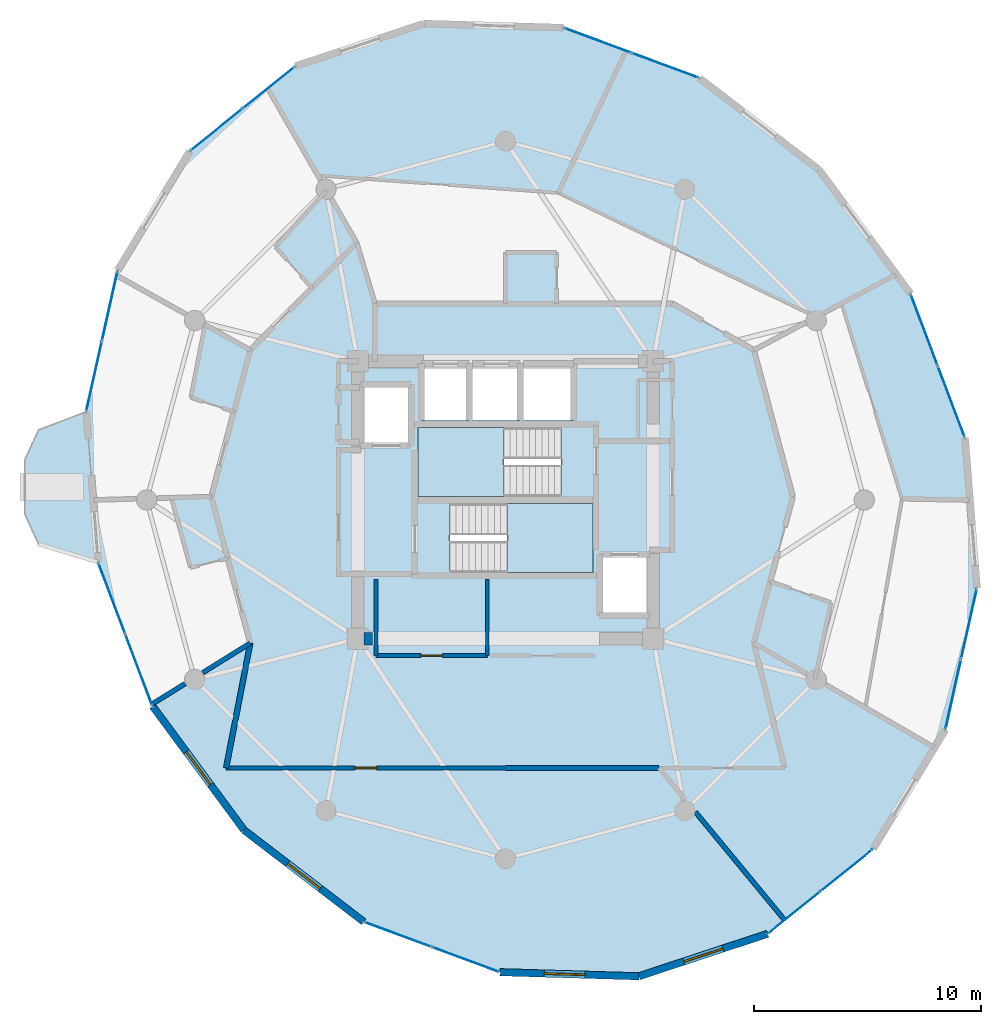
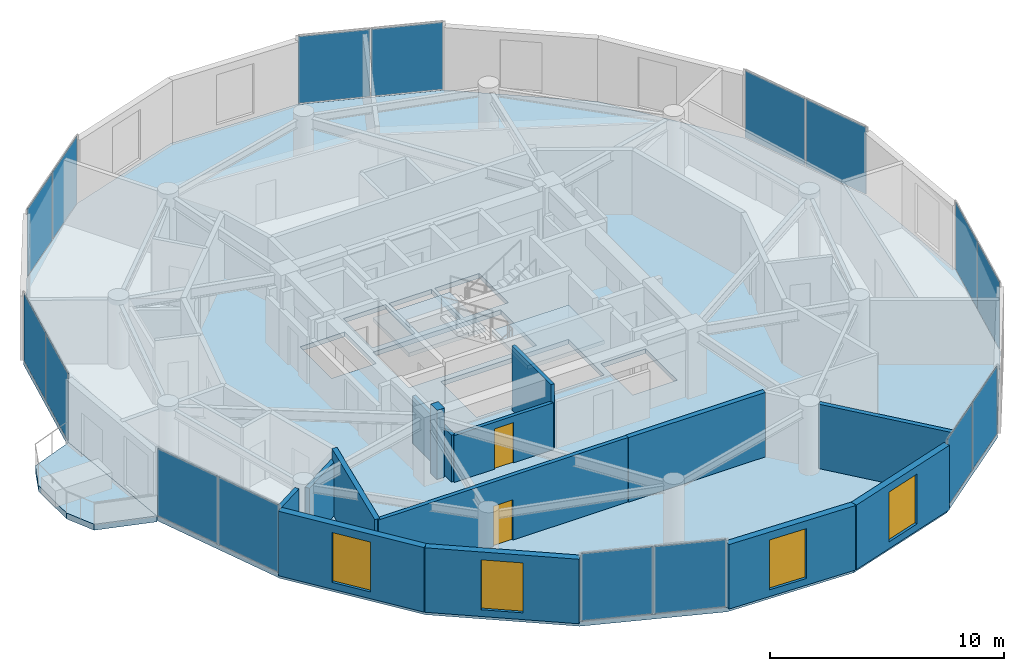
# One storey, part 15 of 20: 16 plates, 14 walls, 4 slabs, 4 windows, 2 doors, 6 openings, 10 elements without a shape of their own.
"""IFC4 building model written with IfcOpenShell, lengths in metres."""

from ifc_helpers import new_model, si_unit, direction, frame, frame_2d, origin, origin_2d, place, context, subcontext, project, spatial, polyline, rectangle, outline, extrude, source, transform, mapped, material, layer, layer_set, type_object, element, fill, aggregate, save


model = new_model("IFC4")

# Units and contexts
model_context = context("Model", 3, precision=1e-05, world=origin(), true_north=direction((0.0, 1.0)))
body_context = subcontext(model_context, "Body", "Model", "MODEL_VIEW")
ifc_project = project(units=[si_unit("LENGTHUNIT", "METRE"), si_unit("AREAUNIT", "SQUARE_METRE"), si_unit("VOLUMEUNIT", "CUBIC_METRE"), si_unit("PLANEANGLEUNIT", "RADIAN"), si_unit("MASSUNIT", "GRAM", prefix="KILO")], contexts=[model_context])

# Site, building, storey
site_placement = place(None, origin())
site = spatial("IfcSite", under=ifc_project, at=site_placement, CompositionType="ELEMENT")
building_placement = place(site_placement, origin())
building = spatial("IfcBuilding", under=site, at=building_placement, Name="Solvirekh Grand Hotel", CompositionType="ELEMENT")
storey_placement = place(building_placement, frame((0.0, 0.0, 194.800048828125)))
storey = spatial("IfcBuildingStorey", under=building, at=storey_placement, Name="L50", CompositionType="ELEMENT", Elevation=194.800048828125)

# Slab
ifc_material_1 = material(Name="Concrete C50/60", Category="concrete")
ifc_layer_1 = layer(ifc_material_1, 0.31005859375)
ifc_layer_set_1 = layer_set([ifc_layer_1], Name="Concrete C50/60")
slab_type_1 = type_object("IfcSlabType", Name="ExtHornSkyGarden_310", PredefinedType="FLOOR", material=ifc_layer_set_1)
slab_1_placement = place(storey_placement, frame((0.0, 0.0, -0.31005859375)))
element("IfcSlab", 1, at=slab_1_placement, inside=storey, type_object=slab_type_1, Name="L50 west horn sky-garden deck", PredefinedType="FLOOR", context=body_context, shape_type="SweptSolid", body=[
    extrude(outline(polyline([(-20.56298828125, 3.0859375), (-21.1630859375, 1.762939453125), (-21.1630859375, -0.618896484375), (-20.56298828125, -1.94189453125), (-17.93408203125, -2.736083984375), (-18.462890625, 3.8798828125), (-20.56298828125, 3.0859375)])), origin(), (0.0, 0.0, 1.0), 0.31005859375),
])

# Stair, slab
ifc_material_2 = material(Name="Concrete C40/50", Category="concrete")
stair_type = type_object("IfcStairType", Name="Stair_Core_1450", PredefinedType="HALF_TURN_STAIR", material=ifc_material_2)
stair_1_placement = place(storey_placement, origin())
stair_1 = element("IfcStair", 2, at=stair_1_placement, inside=storey, type_object=stair_type, Name="L50 Enclosed exit stair ST-1", PredefinedType="HALF_TURN_STAIR")
ifc_layer_2 = layer(ifc_material_2, 0.199951171875)
ifc_layer_set_2 = layer_set([ifc_layer_2], Name="Concrete C40/50")
slab_type_2 = type_object("IfcSlabType", Name="Landing_Stair_200", PredefinedType="LANDING", material=ifc_layer_set_2)
slab_2_placement = place(storey_placement, frame((0.0, 0.0, 1.599853515625)))
slab_2 = element("IfcSlab", 3, at=slab_2_placement, type_object=slab_type_2, Name="ST-1 landing 1", PredefinedType="LANDING", context=body_context, shape_type="SweptSolid", body=[
    extrude(outline(polyline([(0.070068359375, -3.199951171875), (3.85009765625, -3.199951171875), (3.85009765625, -0.14990234375), (0.070068359375, -0.14990234375), (0.070068359375, -3.199951171875)])), origin(), (0.0, 0.0, 1.0), 0.2001953125),
])
aggregate(stair_1, [slab_2])

stair_2_placement = place(storey_placement, origin())
stair_2 = element("IfcStair", 4, at=stair_2_placement, inside=storey, type_object=stair_type, Name="L50 Enclosed exit stair ST-2", PredefinedType="HALF_TURN_STAIR")
slab_3_placement = place(storey_placement, frame((0.0, 0.0, 1.599853515625)))
slab_3 = element("IfcSlab", 5, at=slab_3_placement, type_object=slab_type_2, Name="ST-2 landing 1", PredefinedType="LANDING", context=body_context, shape_type="SweptSolid", body=[
    extrude(outline(polyline([(-0.070068359375, 3.199951171875), (-3.85009765625, 3.199951171875), (-3.85009765625, 0.14990234375), (-0.070068359375, 0.14990234375), (-0.070068359375, 3.199951171875)])), origin(), (0.0, 0.0, 1.0), 0.2001953125),
])
aggregate(stair_2, [slab_3])

# Slab
ifc_layer_3 = layer(ifc_material_2, 0.239990234375)
ifc_layer_set_3 = layer_set([ifc_layer_3], Name="Concrete C40/50")
slab_type_3 = type_object("IfcSlabType", Name="Slab_GuestZ3_240", PredefinedType="FLOOR", material=ifc_layer_set_3)
slab_4_placement = place(storey_placement, frame((0.0, 0.0, -0.239990234375)))
element("IfcSlab", 6, at=slab_4_placement, inside=storey, type_object=slab_type_3, Name="L50 structural floor slab", PredefinedType="FLOOR", context=body_context, shape_type="SweptSolid", body=[
    extrude(outline(polyline([(11.548095703125, -19.10302734375), (16.196044921875, -15.361083984375), (19.37109375, -10.115966796875), (20.762939453125, -3.8798828125), (20.23388671875, 2.736083984375), (17.837890625, 9.0830078125), (13.80810546875, 14.5419921875), (8.5390625, 18.576904296875), (2.547119140625, 20.7939453125), (-3.58203125, 20.97509765625), (-9.248046875, 19.10302734375), (-13.89599609375, 15.361083984375), (-17.071044921875, 10.115966796875), (-18.462890625, 3.8798828125), (-17.93408203125, -2.736083984375), (-15.5380859375, -9.0830078125), (-11.508056640625, -14.5419921875), (-6.239013671875, -18.576904296875), (-0.2470703125, -20.7939453125), (5.882080078125, -20.97509765625), (11.548095703125, -19.10302734375)]), holes=[polyline([(-2.444091796875, -0.14990234375), (3.85009765625, -0.14990234375), (3.85009765625, -3.199951171875), (-2.444091796875, -3.199951171875), (-2.444091796875, -0.14990234375)]), polyline([(2.444091796875, 0.14990234375), (-3.85009765625, 0.14990234375), (-3.85009765625, 3.199951171875), (2.444091796875, 3.199951171875), (2.444091796875, 0.14990234375)]), polyline([(-3.699951171875, 6.0), (-1.60009765625, 6.0), (-1.60009765625, 3.5), (-3.699951171875, 3.5), (-3.699951171875, 6.0)]), polyline([(-1.449951171875, 6.0), (0.64990234375, 6.0), (0.64990234375, 3.5), (-1.449951171875, 3.5), (-1.449951171875, 6.0)]), polyline([(0.800048828125, 6.0), (3.0, 6.0), (3.0, 3.5), (0.800048828125, 3.5), (0.800048828125, 6.0)]), polyline([(-6.35009765625, 5.10009765625), (-4.14990234375, 5.10009765625), (-4.14990234375, 2.39990234375), (-6.35009765625, 2.39990234375), (-6.35009765625, 5.10009765625)]), polyline([(4.14990234375, -2.39990234375), (6.35009765625, -2.39990234375), (6.35009765625, -5.10009765625), (4.14990234375, -5.10009765625), (4.14990234375, -2.39990234375)])]), origin(), (0.0, 0.0, 1.0), 0.239990234375),
])

# Curtain wall, plates
ifc_material_3 = material(Name="Anodized Bronze Aluminium 6063-T6", Category="aluminium")
ifc_layer_4 = layer(ifc_material_3, 0.159912109375)
ifc_layer_set_4 = layer_set([ifc_layer_4], Name="Anodized Bronze Aluminium 6063-T6")
curtain_wall_type = type_object("IfcCurtainWallType", Name="CW_Sys4_HighZoneFlushBronzeCW", PredefinedType="NOTDEFINED", material=ifc_layer_set_4)
curtain_wall_1_placement = place(storey_placement, origin())
curtain_wall_1 = element("IfcCurtainWall", 7, at=curtain_wall_1_placement, inside=storey, type_object=curtain_wall_type, Name="L50 unitised bronze-glass curtain wall CW-L50-C03", PredefinedType="NOTDEFINED")
ifc_material_4 = material(Name="Low-E Tinted Bronze Laminated Glass", Category="aluminium")
ifc_layer_5 = layer(ifc_material_4, 0.033935546875)
ifc_layer_set_5 = layer_set([ifc_layer_5], Name="Low-E Tinted Bronze Laminated Glass")
plate_type = type_object("IfcPlateType", Name="CWPanel_High_34", PredefinedType="CURTAIN_PANEL", material=ifc_layer_set_5)
shared_shape_1 = source(origin(), body_context, "Body", "SweptSolid", [
    extrude(rectangle(XDim=3.104736328125, YDim=0.033935546875, at=origin_2d()), origin(), (0.0, 0.0, 1.0), 3.489990234375),
])
plate_1_placement = place(storey_placement, frame((19.72216796875, -8.54248046875, 0.05517578125), z_axis=(0.0, 0.0, 1.0), x_axis=(0.217858356861, 0.975980397521, 0.0)))
plate_1 = element("IfcPlate", 8, at=plate_1_placement, type_object=plate_type, Name="U04 panel 1.1", PredefinedType="CURTAIN_PANEL", context=body_context, shape_type="MappedRepresentation", body=[
    mapped(shared_shape_1, transform((0.0, 0.0, 0.0), x_axis=(1.0, 0.0, 0.0), y_axis=(0.0, 1.0, 0.0), z_axis=(0.0, 0.0, 1.0), scale=1.0)),
])
plate_2_placement = place(storey_placement, frame((20.41162109375, -5.45361328125, 0.05517578125), z_axis=(0.0, 0.0, 1.0), x_axis=(0.217858356861, 0.975980397521, 0.0)))
plate_2 = element("IfcPlate", 9, at=plate_2_placement, type_object=plate_type, Name="U04 panel 2.1", PredefinedType="CURTAIN_PANEL", context=body_context, shape_type="MappedRepresentation", body=[
    mapped(shared_shape_1, transform((0.0, 0.0, 0.0), x_axis=(1.0, 0.0, 0.0), y_axis=(0.0, 1.0, 0.0), z_axis=(0.0, 0.0, 1.0), scale=1.0)),
])
aggregate(curtain_wall_1, [plate_1, plate_2])

curtain_wall_2_placement = place(storey_placement, origin())
curtain_wall_2 = element("IfcCurtainWall", 10, at=curtain_wall_2_placement, inside=storey, type_object=curtain_wall_type, Name="L50 unitised bronze-glass curtain wall CW-L50-C13", PredefinedType="NOTDEFINED")
plate_3_placement = place(storey_placement, frame((-17.42236328125, 8.54248046875, 0.05517578125), z_axis=(0.0, 0.0, 1.0), x_axis=(-0.217858356861, -0.975980397521, 0.0)))
plate_3 = element("IfcPlate", 11, at=plate_3_placement, type_object=plate_type, Name="U04 panel 1.1", PredefinedType="CURTAIN_PANEL", context=body_context, shape_type="MappedRepresentation", body=[
    mapped(shared_shape_1, transform((0.0, 0.0, 0.0), x_axis=(1.0, 0.0, 0.0), y_axis=(0.0, 1.0, 0.0), z_axis=(0.0, 0.0, 1.0), scale=1.0)),
])
plate_4_placement = place(storey_placement, frame((-18.11181640625, 5.45361328125, 0.05517578125), z_axis=(0.0, 0.0, 1.0), x_axis=(-0.217858356861, -0.975980397521, 0.0)))
plate_4 = element("IfcPlate", 12, at=plate_4_placement, type_object=plate_type, Name="U04 panel 2.1", PredefinedType="CURTAIN_PANEL", context=body_context, shape_type="MappedRepresentation", body=[
    mapped(shared_shape_1, transform((0.0, 0.0, 0.0), x_axis=(1.0, 0.0, 0.0), y_axis=(0.0, 1.0, 0.0), z_axis=(0.0, 0.0, 1.0), scale=1.0)),
])
aggregate(curtain_wall_2, [plate_3, plate_4])

curtain_wall_3_placement = place(storey_placement, origin())
curtain_wall_3 = element("IfcCurtainWall", 13, at=curtain_wall_3_placement, inside=storey, type_object=curtain_wall_type, Name="L50 unitised bronze-glass curtain wall CW-L50-C01", PredefinedType="NOTDEFINED")
shared_shape_2 = source(origin(), body_context, "Body", "SweptSolid", [
    extrude(rectangle(XDim=2.8935546875, YDim=0.033935546875, at=origin_2d()), origin(), (0.0, 0.0, 1.0), 3.489990234375),
])
plate_5_placement = place(storey_placement, frame((12.7216796875, -18.158203125, 0.05517578125), z_axis=(0.0, 0.0, 1.0), x_axis=(0.778935812487, 0.627103659713, 0.0)))
plate_5 = element("IfcPlate", 14, at=plate_5_placement, type_object=plate_type, Name="U04 panel 1.1", PredefinedType="CURTAIN_PANEL", context=body_context, shape_type="MappedRepresentation", body=[
    mapped(shared_shape_2, transform((0.0, 0.0, 0.0), x_axis=(1.0, 0.0, 0.0), y_axis=(0.0, 1.0, 0.0), z_axis=(0.0, 0.0, 1.0), scale=1.0)),
])
plate_6_placement = place(storey_placement, frame((15.022216796875, -16.305908203125, 0.05517578125), z_axis=(0.0, 0.0, 1.0), x_axis=(0.778935812487, 0.627103659713, 0.0)))
plate_6 = element("IfcPlate", 15, at=plate_6_placement, type_object=plate_type, Name="U04 panel 2.1", PredefinedType="CURTAIN_PANEL", context=body_context, shape_type="MappedRepresentation", body=[
    mapped(shared_shape_2, transform((0.0, 0.0, 0.0), x_axis=(1.0, 0.0, 0.0), y_axis=(0.0, 1.0, 0.0), z_axis=(0.0, 0.0, 1.0), scale=1.0)),
])
aggregate(curtain_wall_3, [plate_5, plate_6])

curtain_wall_4_placement = place(storey_placement, origin())
curtain_wall_4 = element("IfcCurtainWall", 16, at=curtain_wall_4_placement, inside=storey, type_object=curtain_wall_type, Name="L50 unitised bronze-glass curtain wall CW-L50-C11", PredefinedType="NOTDEFINED")
plate_7_placement = place(storey_placement, frame((-10.421630859375, 18.158203125, 0.05517578125), z_axis=(0.0, 0.0, 1.0), x_axis=(-0.778935812487, -0.627103659713, 0.0)))
plate_7 = element("IfcPlate", 17, at=plate_7_placement, type_object=plate_type, Name="U04 panel 1.1", PredefinedType="CURTAIN_PANEL", context=body_context, shape_type="MappedRepresentation", body=[
    mapped(shared_shape_2, transform((0.0, 0.0, 0.0), x_axis=(1.0, 0.0, 0.0), y_axis=(0.0, 1.0, 0.0), z_axis=(0.0, 0.0, 1.0), scale=1.0)),
])
plate_8_placement = place(storey_placement, frame((-12.722412109375, 16.305908203125, 0.05517578125), z_axis=(0.0, 0.0, 1.0), x_axis=(-0.778935812487, -0.627103659713, 0.0)))
plate_8 = element("IfcPlate", 18, at=plate_8_placement, type_object=plate_type, Name="U04 panel 2.1", PredefinedType="CURTAIN_PANEL", context=body_context, shape_type="MappedRepresentation", body=[
    mapped(shared_shape_2, transform((0.0, 0.0, 0.0), x_axis=(1.0, 0.0, 0.0), y_axis=(0.0, 1.0, 0.0), z_axis=(0.0, 0.0, 1.0), scale=1.0)),
])
aggregate(curtain_wall_4, [plate_7, plate_8])

curtain_wall_5_placement = place(storey_placement, origin())
curtain_wall_5 = element("IfcCurtainWall", 19, at=curtain_wall_5_placement, inside=storey, type_object=curtain_wall_type, Name="L50 unitised bronze-glass curtain wall CW-L50-C08", PredefinedType="NOTDEFINED")
shared_shape_3 = source(origin(), body_context, "Body", "SweptSolid", [
    extrude(rectangle(XDim=3.1044921875, YDim=0.033935546875, at=origin_2d()), origin(), (0.0, 0.0, 1.0), 3.489990234375),
])
plate_9_placement = place(storey_placement, frame((7.02685546875, 19.136474609375, 0.05517578125), z_axis=(0.0, 0.0, 1.0), x_axis=(-0.937863880211, 0.347003374905, 0.0)))
plate_9 = element("IfcPlate", 20, at=plate_9_placement, type_object=plate_type, Name="U04 panel 1.1", PredefinedType="CURTAIN_PANEL", context=body_context, shape_type="MappedRepresentation", body=[
    mapped(shared_shape_3, transform((0.0, 0.0, 0.0), x_axis=(1.0, 0.0, 0.0), y_axis=(0.0, 1.0, 0.0), z_axis=(0.0, 0.0, 1.0), scale=1.0)),
])
plate_10_placement = place(storey_placement, frame((4.05908203125, 20.234619140625, 0.05517578125), z_axis=(0.0, 0.0, 1.0), x_axis=(-0.937863880211, 0.347003374905, 0.0)))
plate_10 = element("IfcPlate", 21, at=plate_10_placement, type_object=plate_type, Name="U04 panel 2.1", PredefinedType="CURTAIN_PANEL", context=body_context, shape_type="MappedRepresentation", body=[
    mapped(shared_shape_3, transform((0.0, 0.0, 0.0), x_axis=(1.0, 0.0, 0.0), y_axis=(0.0, 1.0, 0.0), z_axis=(0.0, 0.0, 1.0), scale=1.0)),
])
aggregate(curtain_wall_5, [plate_9, plate_10])

curtain_wall_6_placement = place(storey_placement, origin())
curtain_wall_6 = element("IfcCurtainWall", 22, at=curtain_wall_6_placement, inside=storey, type_object=curtain_wall_type, Name="L50 unitised bronze-glass curtain wall CW-L50-C18", PredefinedType="NOTDEFINED")
plate_11_placement = place(storey_placement, frame((-4.72705078125, -19.136474609375, 0.05517578125), z_axis=(0.0, 0.0, 1.0), x_axis=(0.937863880211, -0.347003374905, 0.0)))
plate_11 = element("IfcPlate", 23, at=plate_11_placement, type_object=plate_type, Name="U04 panel 1.1", PredefinedType="CURTAIN_PANEL", context=body_context, shape_type="MappedRepresentation", body=[
    mapped(shared_shape_3, transform((0.0, 0.0, 0.0), x_axis=(1.0, 0.0, 0.0), y_axis=(0.0, 1.0, 0.0), z_axis=(0.0, 0.0, 1.0), scale=1.0)),
])
plate_12_placement = place(storey_placement, frame((-1.759033203125, -20.234619140625, 0.05517578125), z_axis=(0.0, 0.0, 1.0), x_axis=(0.937863880211, -0.347003374905, 0.0)))
plate_12 = element("IfcPlate", 24, at=plate_12_placement, type_object=plate_type, Name="U04 panel 2.1", PredefinedType="CURTAIN_PANEL", context=body_context, shape_type="MappedRepresentation", body=[
    mapped(shared_shape_3, transform((0.0, 0.0, 0.0), x_axis=(1.0, 0.0, 0.0), y_axis=(0.0, 1.0, 0.0), z_axis=(0.0, 0.0, 1.0), scale=1.0)),
])
aggregate(curtain_wall_6, [plate_11, plate_12])

curtain_wall_7_placement = place(storey_placement, origin())
curtain_wall_7 = element("IfcCurtainWall", 25, at=curtain_wall_7_placement, inside=storey, type_object=curtain_wall_type, Name="L50 unitised bronze-glass curtain wall CW-L50-C05", PredefinedType="NOTDEFINED")
shared_shape_4 = source(origin(), body_context, "Body", "SweptSolid", [
    extrude(rectangle(XDim=3.302001953125, YDim=0.033935546875, at=origin_2d()), origin(), (0.0, 0.0, 1.0), 3.489990234375),
])
plate_13_placement = place(storey_placement, frame((19.629638671875, 4.336669921875, 0.05517578125), z_axis=(0.0, 0.0, 1.0), x_axis=(-0.353174105261, 0.935557615208, 0.0)))
plate_13 = element("IfcPlate", 26, at=plate_13_placement, type_object=plate_type, Name="U04 panel 1.1", PredefinedType="CURTAIN_PANEL", context=body_context, shape_type="MappedRepresentation", body=[
    mapped(shared_shape_4, transform((0.0, 0.0, 0.0), x_axis=(1.0, 0.0, 0.0), y_axis=(0.0, 1.0, 0.0), z_axis=(0.0, 0.0, 1.0), scale=1.0)),
])
plate_14_placement = place(storey_placement, frame((18.4423828125, 7.482177734375, 0.05517578125), z_axis=(0.0, 0.0, 1.0), x_axis=(-0.353174105261, 0.935557615208, 0.0)))
plate_14 = element("IfcPlate", 27, at=plate_14_placement, type_object=plate_type, Name="U04 panel 2.1", PredefinedType="CURTAIN_PANEL", context=body_context, shape_type="MappedRepresentation", body=[
    mapped(shared_shape_4, transform((0.0, 0.0, 0.0), x_axis=(1.0, 0.0, 0.0), y_axis=(0.0, 1.0, 0.0), z_axis=(0.0, 0.0, 1.0), scale=1.0)),
])
aggregate(curtain_wall_7, [plate_13, plate_14])

curtain_wall_8_placement = place(storey_placement, origin())
curtain_wall_8 = element("IfcCurtainWall", 28, at=curtain_wall_8_placement, inside=storey, type_object=curtain_wall_type, Name="L50 unitised bronze-glass curtain wall CW-L50-C15", PredefinedType="NOTDEFINED")
plate_15_placement = place(storey_placement, frame((-17.32958984375, -4.336669921875, 0.05517578125), z_axis=(0.0, 0.0, 1.0), x_axis=(0.353174105261, -0.935557615208, 0.0)))
plate_15 = element("IfcPlate", 29, at=plate_15_placement, type_object=plate_type, Name="U04 panel 1.1", PredefinedType="CURTAIN_PANEL", context=body_context, shape_type="MappedRepresentation", body=[
    mapped(shared_shape_4, transform((0.0, 0.0, 0.0), x_axis=(1.0, 0.0, 0.0), y_axis=(0.0, 1.0, 0.0), z_axis=(0.0, 0.0, 1.0), scale=1.0)),
])
plate_16_placement = place(storey_placement, frame((-16.142333984375, -7.482177734375, 0.05517578125), z_axis=(0.0, 0.0, 1.0), x_axis=(0.353174105261, -0.935557615208, 0.0)))
plate_16 = element("IfcPlate", 30, at=plate_16_placement, type_object=plate_type, Name="U04 panel 2.1", PredefinedType="CURTAIN_PANEL", context=body_context, shape_type="MappedRepresentation", body=[
    mapped(shared_shape_4, transform((0.0, 0.0, 0.0), x_axis=(1.0, 0.0, 0.0), y_axis=(0.0, 1.0, 0.0), z_axis=(0.0, 0.0, 1.0), scale=1.0)),
])
aggregate(curtain_wall_8, [plate_15, plate_16])

# Wall
ifc_layer_6 = layer(ifc_material_1, 0.550048828125)
ifc_layer_set_6 = layer_set([ifc_layer_6], Name="Concrete C50/60")
wall_type_1 = type_object("IfcWallType", Name="CoreWall_RC550", PredefinedType="SHEAR", material=ifc_layer_set_6)
wall_1_placement = place(storey_placement, frame((-6.22509765625, -6.10009765625, 0.0), z_axis=(0.0, 0.0, 1.0), x_axis=(1.0, 0.0, 0.0)))
element("IfcWall", 31, at=wall_1_placement, inside=storey, type_object=wall_type_1, Name="L50 core corner shear wall SW-S", PredefinedType="SHEAR", context=body_context, shape_type="SweptSolid", body=[
    extrude(rectangle(XDim=0.375, YDim=0.550048828125, at=frame_2d((0.1875, 0.0))), origin(), (0.0, 0.0, 1.0), 3.599853515625),
])

# Wall, opening, window
ifc_material_5 = material(Name="Precast concrete C45/55", Category="concrete")
ifc_layer_7 = layer(ifc_material_5, 0.320068359375)
ifc_layer_set_7 = layer_set([ifc_layer_7], Name="Precast concrete C45/55")
wall_type_2 = type_object("IfcWallType", Name="ExtLobbyWall_RC320", PredefinedType="SOLIDWALL", material=ifc_layer_set_7)
wall_2_placement = place(storey_placement, frame((-11.508056640625, -14.5419921875, 0.0), z_axis=(0.0, 0.0, 1.0), x_axis=(-0.593926605151, 0.804519227672, 0.0)))
wall_2 = element("IfcWall", 32, at=wall_2_placement, inside=storey, type_object=wall_type_2, Name="L50 exterior structural wall chord 16", PredefinedType="SOLIDWALL", context=body_context, shape_type="SweptSolid", body=[
    extrude(rectangle(XDim=6.785400390625, YDim=0.320068359375, at=frame_2d((3.392578125, 0.0))), origin(), (0.0, 0.0, 1.0), 3.35986328125),
])
opening_1_placement = place(wall_2_placement, frame((2.488037109375, 0.0, 0.35009765625)))
opening_1 = element("IfcOpeningElement", 33, at=opening_1_placement, cuts=wall_2, Name="Opening W02", PredefinedType="OPENING", context=body_context, shape_type="SweptSolid", body=[
    extrude(rectangle(XDim=1.800048828125, YDim=2.60009765625, at=frame_2d((0.89990234375, 1.300048828125))), frame((0.0, 0.169921875, 0.0), z_axis=(0.0, -1.0, 0.0), x_axis=(1.0, 0.0, 0.0)), (0.0, 0.0, 1.0), 0.340087890625),
])
window_type = type_object("IfcWindowType", Name="Win_LobbyExt_1800X2600", PartitioningType="SINGLE_PANEL", PredefinedType="WINDOW", material=ifc_material_4)
window_1_placement = place(opening_1_placement, origin())
window_1 = element("IfcWindow", 34, at=window_1_placement, inside=storey, type_object=window_type, Name="L50 panoramic bronze-framed window 16", OverallHeight=2.60009765625, OverallWidth=1.800048828125, PartitioningType="SINGLE_PANEL", PredefinedType="WINDOW", context=body_context, shape_type="SweptSolid", body=[
    extrude(rectangle(XDim=1.800048828125, YDim=2.60009765625, at=frame_2d((0.89990234375, 1.300048828125))), frame((0.0, 0.030029296875, 0.0), z_axis=(0.0, -1.0, 0.0), x_axis=(1.0, 0.0, 0.0)), (0.0, 0.0, 1.0), 0.06005859375),
])
fill(opening_1, window_1)

wall_3_placement = place(storey_placement, frame((-6.239013671875, -18.576904296875, 0.0), z_axis=(0.0, 0.0, 1.0), x_axis=(-0.793947286628, 0.607986600227, 0.0)))
wall_3 = element("IfcWall", 35, at=wall_3_placement, inside=storey, type_object=wall_type_2, Name="L50 exterior structural wall chord 17", PredefinedType="SOLIDWALL", context=body_context, shape_type="SweptSolid", body=[
    extrude(rectangle(XDim=6.636474609375, YDim=0.320068359375, at=frame_2d((3.318359375, 0.0))), origin(), (0.0, 0.0, 1.0), 3.35986328125),
])
opening_2_placement = place(wall_3_placement, frame((2.41796875, 0.0, 0.35009765625)))
opening_2 = element("IfcOpeningElement", 36, at=opening_2_placement, cuts=wall_3, Name="Opening W02", PredefinedType="OPENING", context=body_context, shape_type="SweptSolid", body=[
    extrude(rectangle(XDim=1.800048828125, YDim=2.60009765625, at=frame_2d((0.89990234375, 1.300048828125))), frame((0.0, 0.169921875, 0.0), z_axis=(0.0, -1.0, 0.0), x_axis=(1.0, 0.0, 0.0)), (0.0, 0.0, 1.0), 0.340087890625),
])
window_2_placement = place(opening_2_placement, origin())
window_2 = element("IfcWindow", 37, at=window_2_placement, inside=storey, type_object=window_type, Name="L50 panoramic bronze-framed window 17", OverallHeight=2.60009765625, OverallWidth=1.800048828125, PartitioningType="SINGLE_PANEL", PredefinedType="WINDOW", context=body_context, shape_type="SweptSolid", body=[
    extrude(rectangle(XDim=1.800048828125, YDim=2.60009765625, at=frame_2d((0.89990234375, 1.300048828125))), frame((0.0, 0.030029296875, 0.0), z_axis=(0.0, -1.0, 0.0), x_axis=(1.0, 0.0, 0.0)), (0.0, 0.0, 1.0), 0.06005859375),
])
fill(opening_2, window_2)

wall_4_placement = place(storey_placement, frame((5.882080078125, -20.97509765625, 0.0), z_axis=(0.0, 0.0, 1.0), x_axis=(-0.999563511361, 0.029542964566, 0.0)))
wall_4 = element("IfcWall", 38, at=wall_4_placement, inside=storey, type_object=wall_type_2, Name="L50 exterior structural wall chord 19", PredefinedType="SOLIDWALL", context=body_context, shape_type="SweptSolid", body=[
    extrude(rectangle(XDim=6.1318359375, YDim=0.320068359375, at=frame_2d((3.06591796875, 0.0))), origin(), (0.0, 0.0, 1.0), 3.35986328125),
])
opening_3_placement = place(wall_4_placement, frame((2.376953125, 0.0, 0.35009765625)))
opening_3 = element("IfcOpeningElement", 39, at=opening_3_placement, cuts=wall_4, Name="Opening W02", PredefinedType="OPENING", context=body_context, shape_type="SweptSolid", body=[
    extrude(rectangle(XDim=1.800048828125, YDim=2.60009765625, at=frame_2d((0.89990234375, 1.300048828125))), frame((0.0, 0.169921875, 0.0), z_axis=(0.0, -1.0, 0.0), x_axis=(1.0, 0.0, 0.0)), (0.0, 0.0, 1.0), 0.340087890625),
])
window_3_placement = place(opening_3_placement, origin())
window_3 = element("IfcWindow", 40, at=window_3_placement, inside=storey, type_object=window_type, Name="L50 panoramic bronze-framed window 19", OverallHeight=2.60009765625, OverallWidth=1.800048828125, PartitioningType="SINGLE_PANEL", PredefinedType="WINDOW", context=body_context, shape_type="SweptSolid", body=[
    extrude(rectangle(XDim=1.800048828125, YDim=2.60009765625, at=frame_2d((0.89990234375, 1.300048828125))), frame((0.0, 0.030029296875, 0.0), z_axis=(0.0, -1.0, 0.0), x_axis=(1.0, 0.0, 0.0)), (0.0, 0.0, 1.0), 0.06005859375),
])
fill(opening_3, window_3)

wall_5_placement = place(storey_placement, frame((11.548095703125, -19.10302734375, 0.0), z_axis=(0.0, 0.0, 1.0), x_axis=(-0.949514623973, -0.313722773898, 0.0)))
wall_5 = element("IfcWall", 41, at=wall_5_placement, inside=storey, type_object=wall_type_2, Name="L50 exterior structural wall chord 20", PredefinedType="SOLIDWALL", context=body_context, shape_type="SweptSolid", body=[
    extrude(rectangle(XDim=5.96728515625, YDim=0.320068359375, at=frame_2d((2.983642578125, 0.0))), origin(), (0.0, 0.0, 1.0), 3.35986328125),
])
opening_4_placement = place(wall_5_placement, frame((2.083984375, 0.0, 0.35009765625)))
opening_4 = element("IfcOpeningElement", 42, at=opening_4_placement, cuts=wall_5, Name="Opening W02", PredefinedType="OPENING", context=body_context, shape_type="SweptSolid", body=[
    extrude(rectangle(XDim=1.800048828125, YDim=2.60009765625, at=frame_2d((0.89990234375, 1.300048828125))), frame((0.0, 0.169921875, 0.0), z_axis=(0.0, -1.0, 0.0), x_axis=(1.0, 0.0, 0.0)), (0.0, 0.0, 1.0), 0.340087890625),
])
window_4_placement = place(opening_4_placement, origin())
window_4 = element("IfcWindow", 43, at=window_4_placement, inside=storey, type_object=window_type, Name="L50 panoramic bronze-framed window 20", OverallHeight=2.60009765625, OverallWidth=1.800048828125, PartitioningType="SINGLE_PANEL", PredefinedType="WINDOW", context=body_context, shape_type="SweptSolid", body=[
    extrude(rectangle(XDim=1.800048828125, YDim=2.60009765625, at=frame_2d((0.89990234375, 1.300048828125))), frame((0.0, 0.030029296875, 0.0), z_axis=(0.0, -1.0, 0.0), x_axis=(1.0, 0.0, 0.0)), (0.0, 0.0, 1.0), 0.06005859375),
])
fill(opening_4, window_4)

# Wall, opening, door
ifc_material_6 = material(Name="Acoustic Gypsum Partition Assembly")
ifc_layer_8 = layer(ifc_material_6, 0.1650390625)
ifc_layer_set_8 = layer_set([ifc_layer_8], Name="Acoustic Gypsum Partition Assembly")
wall_type_3 = type_object("IfcWallType", Name="Part_BOH_165", PredefinedType="PARTITIONING", material=ifc_layer_set_8)
wall_6_placement = place(storey_placement, frame((-5.699951171875, -6.85009765625, 0.0), z_axis=(0.0, 0.0, 1.0), x_axis=(1.0, 0.0, 0.0)))
wall_6 = element("IfcWall", 44, at=wall_6_placement, inside=storey, type_object=wall_type_3, Name="L50 High-Zone Housekeeping Linen Room wall 1", PredefinedType="PARTITIONING", context=body_context, shape_type="SweptSolid", body=[
    extrude(rectangle(XDim=4.89990234375, YDim=0.1650390625, at=frame_2d((2.449951171875, 0.0))), origin(), (0.0, 0.0, 1.0), 2.445068359375),
])
opening_5_placement = place(wall_6_placement, frame((1.97509765625, 0.0, 0.0)))
opening_5 = element("IfcOpeningElement", 45, at=opening_5_placement, cuts=wall_6, Name="Opening D10", PredefinedType="OPENING", context=body_context, shape_type="SweptSolid", body=[
    extrude(rectangle(XDim=0.949951171875, YDim=2.10009765625, at=frame_2d((0.47509765625, 1.050048828125))), frame((0.0, 0.092529296875, 0.0), z_axis=(0.0, -1.0, 0.0), x_axis=(1.0, 0.0, 0.0)), (0.0, 0.0, 1.0), 0.18505859375),
])
door_type = type_object("IfcDoorType", Name="Door_RoomInt_950X2100", OperationType="NOTDEFINED", PredefinedType="DOOR", material=ifc_material_3)
door_1_placement = place(opening_5_placement, origin())
door_1 = element("IfcDoor", 46, at=door_1_placement, inside=storey, type_object=door_type, Name="L50 High-Zone Housekeeping Linen Room door", OperationType="SINGLE_SWING_RIGHT", OverallHeight=2.10009765625, OverallWidth=0.949951171875, PredefinedType="DOOR", context=body_context, shape_type="SweptSolid", body=[
    extrude(rectangle(XDim=0.949951171875, YDim=2.10009765625, at=frame_2d((0.47509765625, 1.050048828125))), frame((0.0, 0.02490234375, 0.0), z_axis=(0.0, -1.0, 0.0), x_axis=(1.0, 0.0, 0.0)), (0.0, 0.0, 1.0), 0.050048828125),
])
fill(opening_5, door_1)

# Walls
wall_7_placement = place(storey_placement, frame((-0.800048828125, -6.85009765625, 0.0), z_axis=(0.0, 0.0, 1.0), x_axis=(0.0, 1.0, 0.0)))
element("IfcWall", 47, at=wall_7_placement, inside=storey, type_object=wall_type_3, Name="L50 High-Zone Housekeeping Linen Room wall 2", PredefinedType="PARTITIONING", context=body_context, shape_type="SweptSolid", body=[
    extrude(rectangle(XDim=3.35009765625, YDim=0.1650390625, at=frame_2d((1.675048828125, 0.0))), origin(), (0.0, 0.0, 1.0), 3.35986328125),
])
wall_8_placement = place(storey_placement, frame((-5.699951171875, -3.5, 0.0), z_axis=(0.0, 0.0, 1.0), x_axis=(0.0, -1.0, 0.0)))
element("IfcWall", 48, at=wall_8_placement, inside=storey, type_object=wall_type_3, Name="L50 High-Zone Housekeeping Linen Room wall 4", PredefinedType="PARTITIONING", context=body_context, shape_type="SweptSolid", body=[
    extrude(rectangle(XDim=3.35009765625, YDim=0.1650390625, at=frame_2d((1.675048828125, 0.0))), origin(), (0.0, 0.0, 1.0), 2.445068359375),
])
ifc_layer_9 = layer(ifc_material_6, 0.239990234375)
ifc_layer_set_9 = layer_set([ifc_layer_9], Name="Acoustic Gypsum Partition Assembly")
wall_type_4 = type_object("IfcWallType", Name="Part_Corridor_240", PredefinedType="PARTITIONING", material=ifc_layer_set_9)
wall_9_placement = place(storey_placement, frame((-11.235107421875, -6.300048828125, 0.0), z_axis=(0.0, 0.0, 1.0), x_axis=(-0.190095078136, -0.981765685522, 0.0)))
element("IfcWall", 49, at=wall_9_placement, inside=storey, type_object=wall_type_4, Name="L50 L50 Collector Map Lounge corridor wall 1", PredefinedType="PARTITIONING", context=body_context, shape_type="SweptSolid", body=[
    extrude(rectangle(XDim=5.60205078125, YDim=0.239990234375, at=frame_2d((2.801025390625, 0.0))), origin(), (0.0, 0.0, 1.0), 3.35986328125),
])
wall_10_placement = place(storey_placement, frame((0.0, -11.800048828125, 0.0), z_axis=(0.0, 0.0, 1.0), x_axis=(1.0, 0.0, 0.0)))
element("IfcWall", 50, at=wall_10_placement, inside=storey, type_object=wall_type_4, Name="L50 L50 Collector Map Lounge corridor wall 2", PredefinedType="PARTITIONING", context=body_context, shape_type="SweptSolid", body=[
    extrude(rectangle(XDim=6.764892578125, YDim=0.239990234375, at=frame_2d((3.38232421875, 0.0))), origin(), (0.0, 0.0, 1.0), 3.35986328125),
])

# Wall, opening, door
ifc_layer_10 = layer(ifc_material_6, 0.18994140625)
ifc_layer_set_10 = layer_set([ifc_layer_10], Name="Acoustic Gypsum Partition Assembly")
wall_type_5 = type_object("IfcWallType", Name="Part_GuestDemise_190", PredefinedType="PARTITIONING", material=ifc_layer_set_10)
wall_11_placement = place(storey_placement, frame((-12.300048828125, -11.800048828125, 0.0), z_axis=(0.0, 0.0, 1.0), x_axis=(1.0, 0.0, 0.0)))
wall_11 = element("IfcWall", 51, at=wall_11_placement, inside=storey, type_object=wall_type_5, Name="L50 L50 Collector Map Lounge entrance wall", PredefinedType="PARTITIONING", context=body_context, shape_type="SweptSolid", body=[
    extrude(rectangle(XDim=12.300048828125, YDim=0.18994140625, at=frame_2d((6.14990234375, 0.0))), origin(), (0.0, 0.0, 1.0), 3.35986328125),
])
opening_6_placement = place(wall_11_placement, frame((5.675048828125, 0.0, 0.0)))
opening_6 = element("IfcOpeningElement", 52, at=opening_6_placement, cuts=wall_11, Name="Opening D10", PredefinedType="OPENING", context=body_context, shape_type="SweptSolid", body=[
    extrude(rectangle(XDim=0.949951171875, YDim=2.10009765625, at=frame_2d((0.47509765625, 1.050048828125))), frame((0.0, 0.10498046875, 0.0), z_axis=(0.0, -1.0, 0.0), x_axis=(1.0, 0.0, 0.0)), (0.0, 0.0, 1.0), 0.2099609375),
])
door_2_placement = place(opening_6_placement, origin())
door_2 = element("IfcDoor", 53, at=door_2_placement, inside=storey, type_object=door_type, Name="L50 L50 Collector Map Lounge entrance door", OperationType="SINGLE_SWING_RIGHT", OverallHeight=2.10009765625, OverallWidth=0.949951171875, PredefinedType="DOOR", context=body_context, shape_type="SweptSolid", body=[
    extrude(rectangle(XDim=0.949951171875, YDim=2.10009765625, at=frame_2d((0.47509765625, 1.050048828125))), frame((0.0, 0.02490234375, 0.0), z_axis=(0.0, -1.0, 0.0), x_axis=(1.0, 0.0, 0.0)), (0.0, 0.0, 1.0), 0.050048828125),
])
fill(opening_6, door_2)

# Walls
ifc_layer_11 = layer(ifc_material_6, 0.2099609375)
ifc_layer_set_11 = layer_set([ifc_layer_11], Name="Acoustic Gypsum Partition Assembly")
wall_type_6 = type_object("IfcWallType", Name="Part_SuiteDemise_210", PredefinedType="PARTITIONING", material=ifc_layer_set_11)
wall_12_placement = place(storey_placement, frame((-11.235107421875, -6.300048828125, 0.0), z_axis=(0.0, 0.0, 1.0), x_axis=(-0.8495787928, -0.527461728302, 0.0)))
element("IfcWall", 54, at=wall_12_placement, inside=storey, type_object=wall_type_6, Name="L50 suite radial wall 8 (A)", PredefinedType="PARTITIONING", context=body_context, shape_type="SweptSolid", body=[
    extrude(rectangle(XDim=2.458740234375, YDim=0.2099609375, at=frame_2d((1.2294921875, 0.0))), origin(), (0.0, 0.0, 1.0), 2.801025390625),
])
wall_13_placement = place(storey_placement, frame((-14.114013671875, -8.0869140625, 0.0), z_axis=(0.0, 0.0, 1.0), x_axis=(-0.849606407473, -0.52741724695, 0.0)))
element("IfcWall", 55, at=wall_13_placement, inside=storey, type_object=wall_type_6, Name="L50 suite radial wall 8 (B)", PredefinedType="PARTITIONING", context=body_context, shape_type="SweptSolid", body=[
    extrude(rectangle(XDim=1.67626953125, YDim=0.2099609375, at=frame_2d((0.838134765625, 0.0))), origin(), (0.0, 0.0, 1.0), 3.35986328125),
])
wall_14_placement = place(storey_placement, frame((8.366943359375, -13.739990234375, 0.0), z_axis=(0.0, 0.0, 1.0), x_axis=(0.636559399156, -0.771227678022, 0.0)))
element("IfcWall", 56, at=wall_14_placement, inside=storey, type_object=wall_type_6, Name="L50 L50 Collector Map Lounge dividing partition 1 (B)", PredefinedType="PARTITIONING", context=body_context, shape_type="SweptSolid", body=[
    extrude(rectangle(XDim=6.133056640625, YDim=0.2099609375, at=frame_2d((3.06640625, 0.0))), origin(), (0.0, 0.0, 1.0), 3.35986328125),
])

save(model, "model.ifc")
